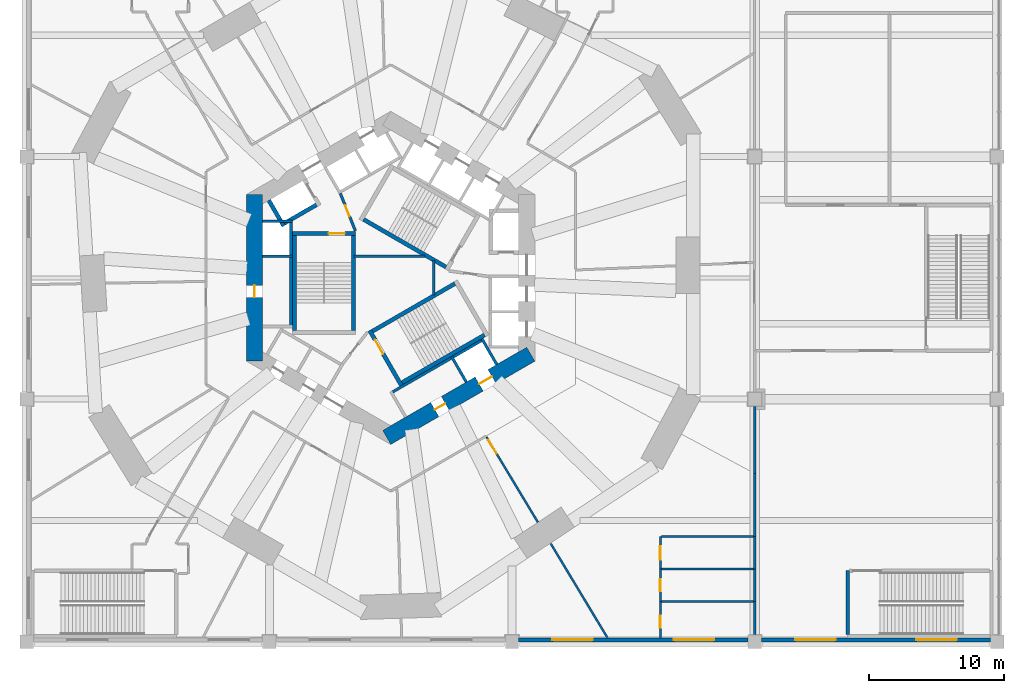
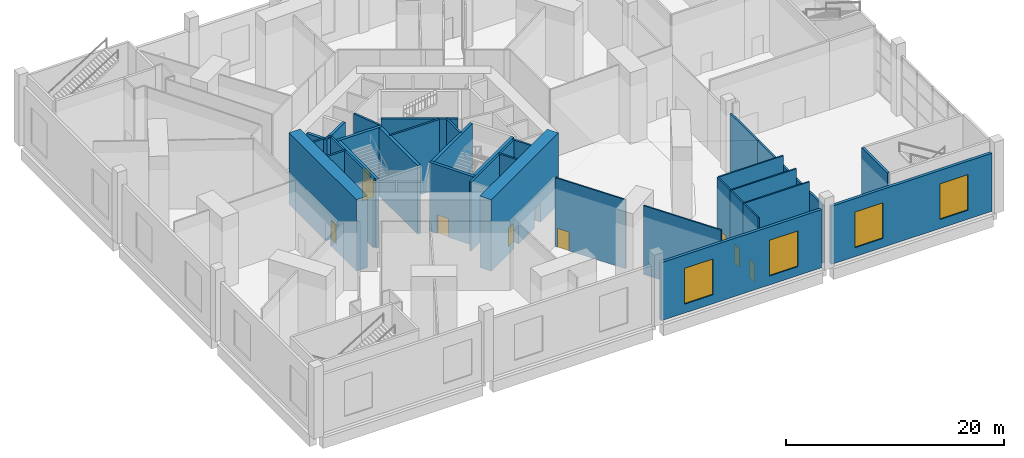
# One storey, part 7 of 15: 36 walls, 10 doors, 4 windows, 14 openings.
"""IFC4 building model written with IfcOpenShell, lengths in metres."""

from ifc_helpers import new_model, si_unit, direction, frame, frame_2d, origin, place, context, subcontext, project, spatial, rectangle, extrude, material, layer, layer_set, type_object, element, fill, save


model = new_model("IFC4")

# Units and contexts
model_context = context("Model", 3, precision=1e-05, world=origin(), true_north=direction((0.0, 1.0)))
body_context = subcontext(model_context, "Body", "Model", "MODEL_VIEW")
ifc_project = project(units=[si_unit("LENGTHUNIT", "METRE"), si_unit("AREAUNIT", "SQUARE_METRE"), si_unit("VOLUMEUNIT", "CUBIC_METRE"), si_unit("PLANEANGLEUNIT", "RADIAN"), si_unit("MASSUNIT", "GRAM", prefix="KILO")], contexts=[model_context])

# Site, building, storey
site_placement = place(None, origin())
site = spatial("IfcSite", under=ifc_project, at=site_placement, CompositionType="ELEMENT")
building_placement = place(site_placement, origin())
building = spatial("IfcBuilding", under=site, at=building_placement, Name="Vanh Sen Convention Tower", CompositionType="ELEMENT")
storey_placement = place(building_placement, frame((0.0, 0.0, 13.0)))
storey = spatial("IfcBuildingStorey", under=building, at=storey_placement, Name="L02", CompositionType="ELEMENT", Elevation=13.0)

# Wall
ifc_material_1 = material(Name="Concrete C40/50", Category="concrete")
ifc_layer_1 = layer(ifc_material_1, 0.25)
ifc_layer_set_1 = layer_set([ifc_layer_1], Name="Concrete C40/50")
wall_type_1 = type_object("IfcWallType", Name="Concrete wall 250 REI 180", PredefinedType="SOLIDWALL", material=ifc_layer_set_1)
wall_1_placement = place(storey_placement, frame((33.89990234375, -26.43994140625, 0.0), z_axis=(0.0, 0.0, 1.0), x_axis=(0.0, 1.0, 0.0)))
element("IfcWall", 1, at=wall_1_placement, inside=storey, type_object=wall_type_1, Name="Fire-resisting wall L02-003", PredefinedType="SOLIDWALL", context=body_context, shape_type="SweptSolid", body=[
    extrude(rectangle(XDim=4.71484375, YDim=0.25, at=frame_2d((2.357421875, 0.0))), origin(), (0.0, 0.0, 1.0), 7.699951171875),
])

# Wall, opening, door
ifc_material_2 = material(Name="Concrete C80/95", Category="concrete")
ifc_layer_2 = layer(ifc_material_2, 1.199951171875)
ifc_layer_set_2 = layer_set([ifc_layer_2], Name="Concrete C80/95")
wall_type_2 = type_object("IfcWallType", Name="Core outer wall 1200 C80/95", PredefinedType="SHEAR", material=ifc_layer_set_2)
wall_2_placement = place(storey_placement, frame((-10.10009765625, 6.177490234375, 0.0), z_axis=(0.0, 0.0, 1.0), x_axis=(0.0, -1.0, 0.0)))
wall_2 = element("IfcWall", 2, at=wall_2_placement, inside=storey, type_object=wall_type_2, Name="Core wall face W L02", PredefinedType="SHEAR", context=body_context, shape_type="SweptSolid", body=[
    extrude(rectangle(XDim=12.35498046875, YDim=1.199951171875, at=frame_2d((6.177490234375, 0.0))), origin(), (0.0, 0.0, 1.0), 8.0),
])
opening_1_placement = place(wall_2_placement, frame((6.7275390625, 0.0, 0.0)))
opening_1 = element("IfcOpeningElement", 3, at=opening_1_placement, cuts=wall_2, Name="Opening D02010", PredefinedType="OPENING", context=body_context, shape_type="SweptSolid", body=[
    extrude(rectangle(XDim=0.89990234375, YDim=2.10009765625, at=frame_2d((0.449951171875, 1.050048828125))), frame((0.0, 0.60986328125, 0.0), z_axis=(0.0, -1.0, 0.0), x_axis=(1.0, 0.0, 0.0)), (0.0, 0.0, 1.0), 1.219970703125),
])
ifc_material_3 = material(Name="Steel S355", Category="steel")
door_type_1 = type_object("IfcDoorType", Name="Plant door 900", OperationType="SINGLE_SWING_LEFT", PredefinedType="DOOR", material=ifc_material_3)
door_1_placement = place(opening_1_placement, origin())
door_1 = element("IfcDoor", 4, at=door_1_placement, inside=storey, type_object=door_type_1, Name="Plant door D02010", OperationType="SINGLE_SWING_LEFT", OverallHeight=2.10009765625, OverallWidth=0.89990234375, PredefinedType="DOOR", context=body_context, shape_type="SweptSolid", body=[
    extrude(rectangle(XDim=0.89990234375, YDim=2.10009765625, at=frame_2d((0.449951171875, 1.050048828125))), frame((0.0, 0.02490234375, 0.0), z_axis=(0.0, -1.0, 0.0), x_axis=(1.0, 0.0, 0.0)), (0.0, 0.0, 1.0), 0.050048828125),
])
fill(opening_1, door_1)

# Wall, openings, doors
wall_3_placement = place(storey_placement, frame((-0.300048828125, -11.835693359375, 0.0), z_axis=(0.0, 0.0, 1.0), x_axis=(0.866021384402, 0.500006961711, 0.0)))
wall_3 = element("IfcWall", 5, at=wall_3_placement, inside=storey, type_object=wall_type_2, Name="Core wall face SE L02", PredefinedType="SHEAR", context=body_context, shape_type="SweptSolid", body=[
    extrude(rectangle(XDim=12.355224609375, YDim=1.199951171875, at=frame_2d((6.177734375, 0.0))), origin(), (0.0, 0.0, 1.0), 8.0),
])
opening_2_placement = place(wall_3_placement, frame((4.127685546875, 0.0, 0.0)))
opening_2 = element("IfcOpeningElement", 6, at=opening_2_placement, cuts=wall_3, Name="Opening D02013", PredefinedType="OPENING", context=body_context, shape_type="SweptSolid", body=[
    extrude(rectangle(XDim=0.89990234375, YDim=2.10009765625, at=frame_2d((0.449951171875, 1.050048828125))), frame((0.0, 0.60986328125, 0.0), z_axis=(0.0, -1.0, 0.0), x_axis=(1.0, 0.0, 0.0)), (0.0, 0.0, 1.0), 1.219970703125),
])
opening_3_placement = place(wall_3_placement, frame((7.927734375, 0.0, 0.0)))
opening_3 = element("IfcOpeningElement", 7, at=opening_3_placement, cuts=wall_3, Name="Opening LD-SV1", PredefinedType="OPENING", context=body_context, shape_type="SweptSolid", body=[
    extrude(rectangle(XDim=1.10009765625, YDim=2.10009765625, at=frame_2d((0.550048828125, 1.050048828125))), frame((0.0, 0.60986328125, 0.0), z_axis=(0.0, -1.0, 0.0), x_axis=(1.0, 0.0, 0.0)), (0.0, 0.0, 1.0), 1.219970703125),
])
ifc_material_4 = material(Name="Stainless steel", Category="steel")
door_type_2 = type_object("IfcDoorType", Name="Lift landing door 1100", OperationType="DOUBLE_DOOR_SLIDING", PredefinedType="DOOR", material=ifc_material_4)
door_2_placement = place(opening_3_placement, origin())
door_2 = element("IfcDoor", 8, at=door_2_placement, inside=storey, type_object=door_type_2, Name="Lift SV1 landing door LD-SV1", OperationType="DOUBLE_DOOR_SLIDING", OverallHeight=2.10009765625, OverallWidth=1.10009765625, PredefinedType="DOOR", context=body_context, shape_type="SweptSolid", body=[
    extrude(rectangle(XDim=1.10009765625, YDim=2.10009765625, at=frame_2d((0.550048828125, 1.050048828125))), frame((0.0, 0.02490234375, 0.0), z_axis=(0.0, -1.0, 0.0), x_axis=(1.0, 0.0, 0.0)), (0.0, 0.0, 1.0), 0.050048828125),
])
fill(opening_3, door_2)
door_3_placement = place(opening_2_placement, origin())
door_3 = element("IfcDoor", 9, at=door_3_placement, inside=storey, type_object=door_type_1, Name="Plant door D02013", OperationType="SINGLE_SWING_LEFT", OverallHeight=2.10009765625, OverallWidth=0.89990234375, PredefinedType="DOOR", context=body_context, shape_type="SweptSolid", body=[
    extrude(rectangle(XDim=0.89990234375, YDim=2.10009765625, at=frame_2d((0.449951171875, 1.050048828125))), frame((0.0, 0.02490234375, 0.0), z_axis=(0.0, -1.0, 0.0), x_axis=(1.0, 0.0, 0.0)), (0.0, 0.0, 1.0), 0.050048828125),
])
fill(opening_2, door_3)

# Walls
ifc_material_5 = material(Name="Masonry blockwork", Category="masonry")
ifc_layer_3 = layer(ifc_material_5, 0.199951171875)
ifc_layer_set_3 = layer_set([ifc_layer_3], Name="Masonry blockwork")
wall_type_3 = type_object("IfcWallType", Name="Core partition 200", PredefinedType="PARTITIONING", material=ifc_layer_set_3)
wall_4_placement = place(storey_placement, frame((-2.719970703125, 1.60009765625, 0.0), z_axis=(0.0, 0.0, 1.0), x_axis=(1.0, 0.0, 0.0)))
element("IfcWall", 10, at=wall_4_placement, inside=storey, type_object=wall_type_3, Name="Core partition L02", PredefinedType="PARTITIONING", context=body_context, shape_type="SweptSolid", body=[
    extrude(rectangle(XDim=5.2685546875, YDim=0.199951171875, at=frame_2d((2.63427734375, 0.0))), origin(), (0.0, 0.0, 1.0), 7.699951171875),
])
wall_5_placement = place(storey_placement, frame((3.199951171875, -1.274658203125, 0.0), z_axis=(0.0, 0.0, 1.0), x_axis=(0.0, 1.0, 0.0)))
element("IfcWall", 11, at=wall_5_placement, inside=storey, type_object=wall_type_3, Name="Core partition L02", PredefinedType="PARTITIONING", context=body_context, shape_type="SweptSolid", body=[
    extrude(rectangle(XDim=2.54931640625, YDim=0.199951171875, at=frame_2d((1.274658203125, 0.0))), origin(), (0.0, 0.0, 1.0), 7.699951171875),
])
ifc_material_6 = material(Name="Concrete C60/75", Category="concrete")
ifc_layer_4 = layer(ifc_material_6, 0.300048828125)
ifc_layer_set_4 = layer_set([ifc_layer_4], Name="Concrete C60/75")
wall_type_4 = type_object("IfcWallType", Name="Fire-fighting lift shaft wall 300", PredefinedType="SHEAR", material=ifc_layer_set_4)
wall_6_placement = place(storey_placement, frame((-5.240478515625, 5.576904296875, 0.0), z_axis=(0.0, 0.0, 1.0), x_axis=(-0.866014461049, -0.500018952895, 0.0)))
element("IfcWall", 12, at=wall_6_placement, inside=storey, type_object=wall_type_4, Name="Fire-fighting lift shaft wall L02", PredefinedType="SHEAR", context=body_context, shape_type="SweptSolid", body=[
    extrude(rectangle(XDim=3.349853515625, YDim=0.300048828125, at=frame_2d((1.6748046875, 0.0))), origin(), (0.0, 0.0, 1.0), 7.699951171875),
])
wall_7_placement = place(storey_placement, frame((-7.936767578125, 3.846923828125, 0.0), z_axis=(0.0, 0.0, 1.0), x_axis=(-0.50002983664, 0.866008176907, 0.0)))
element("IfcWall", 13, at=wall_7_placement, inside=storey, type_object=wall_type_4, Name="Fire-fighting lift shaft wall L02", PredefinedType="SHEAR", context=body_context, shape_type="SweptSolid", body=[
    extrude(rectangle(XDim=2.199951171875, YDim=0.300048828125, at=frame_2d((1.10009765625, 0.0))), origin(), (0.0, 0.0, 1.0), 7.699951171875),
])
ifc_layer_5 = layer(ifc_material_1, 0.199951171875)
ifc_layer_set_5 = layer_set([ifc_layer_5], Name="Concrete C40/50")
wall_type_5 = type_object("IfcWallType", Name="Lift shaft wall 200", PredefinedType="PARTITIONING", material=ifc_layer_set_5)
wall_8_placement = place(storey_placement, frame((-7.39990234375, 4.300048828125, 0.0), z_axis=(0.0, 0.0, 1.0), x_axis=(0.0, -1.0, 0.0)))
element("IfcWall", 14, at=wall_8_placement, inside=storey, type_object=wall_type_5, Name="Lift shaft wall L02", PredefinedType="PARTITIONING", context=body_context, shape_type="SweptSolid", body=[
    extrude(rectangle(XDim=8.0, YDim=0.199951171875, at=frame_2d((4.0, 0.0))), origin(), (0.0, 0.0, 1.0), 7.699951171875),
])
for number, where, z_axis, x_axis, name in (
    (15, (-7.300048828125, 4.199951171875, 0.0), (0.0, 0.0, 1.0), (-1.0, 0.0, 0.0), "Lift shaft wall L02"),
    (16, (-7.300048828125, 1.60009765625, 0.0), (0.0, 0.0, 1.0), (-1.0, 0.0, 0.0), "Lift shaft wall L02"),
):
    element("IfcWall", number, at=place(storey_placement, frame(where, z_axis=z_axis, x_axis=x_axis)), inside=storey, type_object=wall_type_5, Name=name, PredefinedType="PARTITIONING", context=body_context, shape_type="SweptSolid", body=[
        extrude(rectangle(XDim=2.199951171875, YDim=0.199951171875, at=frame_2d((1.10009765625, 0.0))), origin(), (0.0, 0.0, 1.0), 7.699951171875),
    ])
wall_9_placement = place(storey_placement, frame((-0.02392578125, -8.55859375, 0.0), z_axis=(0.0, 0.0, 1.0), x_axis=(0.866026010844, 0.49999894854, 0.0)))
element("IfcWall", 17, at=wall_9_placement, inside=storey, type_object=wall_type_5, Name="Lift shaft wall L02", PredefinedType="PARTITIONING", context=body_context, shape_type="SweptSolid", body=[
    extrude(rectangle(XDim=8.0, YDim=0.199951171875, at=frame_2d((4.0, 0.0))), origin(), (0.0, 0.0, 1.0), 7.699951171875),
])
for number, where, z_axis, x_axis, name in (
    (18, (4.51611328125, -5.822021484375, 0.0), (0.0, 0.0, 1.0), (0.499946605688, -0.86605622881, 0.0), "Lift shaft wall L02"),
    (19, (6.767578125, -4.52197265625, 0.0), (0.0, 0.0, 1.0), (0.50002983664, -0.866008176907, 0.0), "Lift shaft wall L02"),
):
    element("IfcWall", number, at=place(storey_placement, frame(where, z_axis=z_axis, x_axis=x_axis)), inside=storey, type_object=wall_type_5, Name=name, PredefinedType="PARTITIONING", context=body_context, shape_type="SweptSolid", body=[
        extrude(rectangle(XDim=2.199951171875, YDim=0.199951171875, at=frame_2d((1.10009765625, 0.0))), origin(), (0.0, 0.0, 1.0), 7.699951171875),
    ])

# Wall, opening, door
ifc_material_7 = material(Name="Gypsum board on steel studs", Category="steel")
ifc_layer_6 = layer(ifc_material_7, 0.14990234375)
ifc_layer_set_6 = layer_set([ifc_layer_6], Name="Gypsum board on steel studs")
wall_type_6 = type_object("IfcWallType", Name="Partition 150", PredefinedType="PARTITIONING", material=ifc_layer_set_6)
wall_10_placement = place(storey_placement, frame((20.0, -26.699951171875, 0.0), z_axis=(0.0, 0.0, 1.0), x_axis=(0.0, 1.0, 0.0)))
wall_10 = element("IfcWall", 20, at=wall_10_placement, inside=storey, type_object=wall_type_6, Name="Partition L02-001", PredefinedType="PARTITIONING", context=body_context, shape_type="SweptSolid", body=[
    extrude(rectangle(XDim=2.699951171875, YDim=0.14990234375, at=frame_2d((1.35009765625, 0.0))), origin(), (0.0, 0.0, 1.0), 7.699951171875),
])
opening_4_placement = place(wall_10_placement, frame((0.75, 0.0, 0.0)))
opening_4 = element("IfcOpeningElement", 21, at=opening_4_placement, cuts=wall_10, Name="Opening D02101", PredefinedType="OPENING", context=body_context, shape_type="SweptSolid", body=[
    extrude(rectangle(XDim=0.89990234375, YDim=2.10009765625, at=frame_2d((0.449951171875, 1.050048828125))), frame((0.0, 0.0849609375, 0.0), z_axis=(0.0, -1.0, 0.0), x_axis=(1.0, 0.0, 0.0)), (0.0, 0.0, 1.0), 0.169921875),
])
ifc_material_8 = material(Name="Timber door in steel frame", Category="steel")
door_type_3 = type_object("IfcDoorType", Name="Room door 900", OperationType="SINGLE_SWING_LEFT", PredefinedType="DOOR", material=ifc_material_8)
door_4_placement = place(opening_4_placement, origin())
door_4 = element("IfcDoor", 22, at=door_4_placement, inside=storey, type_object=door_type_3, Name="Room door D02101", OperationType="SINGLE_SWING_LEFT", OverallHeight=2.10009765625, OverallWidth=0.89990234375, PredefinedType="DOOR", context=body_context, shape_type="SweptSolid", body=[
    extrude(rectangle(XDim=0.89990234375, YDim=2.10009765625, at=frame_2d((0.449951171875, 1.050048828125))), frame((0.0, 0.02490234375, 0.0), z_axis=(0.0, -1.0, 0.0), x_axis=(1.0, 0.0, 0.0)), (0.0, 0.0, 1.0), 0.050048828125),
])
fill(opening_4, door_4)

wall_11_placement = place(storey_placement, frame((20.0, -24.0, 0.0), z_axis=(0.0, 0.0, 1.0), x_axis=(0.0, 1.0, 0.0)))
wall_11 = element("IfcWall", 23, at=wall_11_placement, inside=storey, type_object=wall_type_6, Name="Partition L02-007", PredefinedType="PARTITIONING", context=body_context, shape_type="SweptSolid", body=[
    extrude(rectangle(XDim=2.39990234375, YDim=0.14990234375, at=frame_2d((1.199951171875, 0.0))), origin(), (0.0, 0.0, 1.0), 7.699951171875),
])
opening_5_placement = place(wall_11_placement, frame((0.75, 0.0, 0.0)))
opening_5 = element("IfcOpeningElement", 24, at=opening_5_placement, cuts=wall_11, Name="Opening D02102", PredefinedType="OPENING", context=body_context, shape_type="SweptSolid", body=[
    extrude(rectangle(XDim=0.89990234375, YDim=2.10009765625, at=frame_2d((0.449951171875, 1.050048828125))), frame((0.0, 0.0849609375, 0.0), z_axis=(0.0, -1.0, 0.0), x_axis=(1.0, 0.0, 0.0)), (0.0, 0.0, 1.0), 0.169921875),
])
door_5_placement = place(opening_5_placement, origin())
door_5 = element("IfcDoor", 25, at=door_5_placement, inside=storey, type_object=door_type_3, Name="Room door D02102", OperationType="SINGLE_SWING_LEFT", OverallHeight=2.10009765625, OverallWidth=0.89990234375, PredefinedType="DOOR", context=body_context, shape_type="SweptSolid", body=[
    extrude(rectangle(XDim=0.89990234375, YDim=2.10009765625, at=frame_2d((0.449951171875, 1.050048828125))), frame((0.0, 0.02490234375, 0.0), z_axis=(0.0, -1.0, 0.0), x_axis=(1.0, 0.0, 0.0)), (0.0, 0.0, 1.0), 0.050048828125),
])
fill(opening_5, door_5)

# Wall
wall_12_placement = place(storey_placement, frame((20.080078125, -24.0, 0.0), z_axis=(0.0, 0.0, 1.0), x_axis=(1.0, 0.0, 0.0)))
element("IfcWall", 26, at=wall_12_placement, inside=storey, type_object=wall_type_6, Name="Partition L02-008", PredefinedType="PARTITIONING", context=body_context, shape_type="SweptSolid", body=[
    extrude(rectangle(XDim=6.81982421875, YDim=0.14990234375, at=frame_2d((3.409912109375, 0.0))), origin(), (0.0, 0.0, 1.0), 7.699951171875),
])

# Wall, opening, door
wall_13_placement = place(storey_placement, frame((20.0, -21.60009765625, 0.0), z_axis=(0.0, 0.0, 1.0), x_axis=(0.0, 1.0, 0.0)))
wall_13 = element("IfcWall", 27, at=wall_13_placement, inside=storey, type_object=wall_type_6, Name="Partition L02-015", PredefinedType="PARTITIONING", context=body_context, shape_type="SweptSolid", body=[
    extrude(rectangle(XDim=2.400146484375, YDim=0.14990234375, at=frame_2d((1.2001953125, 0.0))), origin(), (0.0, 0.0, 1.0), 7.699951171875),
])
opening_6_placement = place(wall_13_placement, frame((0.699951171875, 0.0, 0.0)))
opening_6 = element("IfcOpeningElement", 28, at=opening_6_placement, cuts=wall_13, Name="Opening D02105", PredefinedType="OPENING", context=body_context, shape_type="SweptSolid", body=[
    extrude(rectangle(XDim=1.0, YDim=2.10009765625, at=frame_2d((0.5, 1.050048828125))), frame((0.0, 0.0849609375, 0.0), z_axis=(0.0, -1.0, 0.0), x_axis=(1.0, 0.0, 0.0)), (0.0, 0.0, 1.0), 0.169921875),
])
door_type_4 = type_object("IfcDoorType", Name="Room door 1000", OperationType="SINGLE_SWING_LEFT", PredefinedType="DOOR", material=ifc_material_8)
door_6_placement = place(opening_6_placement, origin())
door_6 = element("IfcDoor", 29, at=door_6_placement, inside=storey, type_object=door_type_4, Name="Room door D02105", OperationType="SINGLE_SWING_LEFT", OverallHeight=2.10009765625, OverallWidth=1.0, PredefinedType="DOOR", context=body_context, shape_type="SweptSolid", body=[
    extrude(rectangle(XDim=1.0, YDim=2.10009765625, at=frame_2d((0.5, 1.050048828125))), frame((0.0, 0.02490234375, 0.0), z_axis=(0.0, -1.0, 0.0), x_axis=(1.0, 0.0, 0.0)), (0.0, 0.0, 1.0), 0.050048828125),
])
fill(opening_6, door_6)

# Walls
for number, where, z_axis, x_axis, name in (
    (30, (20.080078125, -21.60009765625, 0.0), (0.0, 0.0, 1.0), (1.0, 0.0, 0.0), "Partition L02-016"),
    (31, (20.080078125, -19.199951171875, 0.0), (0.0, 0.0, 1.0), (1.0, 0.0, 0.0), "Partition L02-025"),
):
    element("IfcWall", number, at=place(storey_placement, frame(where, z_axis=z_axis, x_axis=x_axis)), inside=storey, type_object=wall_type_6, Name=name, PredefinedType="PARTITIONING", context=body_context, shape_type="SweptSolid", body=[
        extrude(rectangle(XDim=6.81982421875, YDim=0.14990234375, at=frame_2d((3.409912109375, 0.0))), origin(), (0.0, 0.0, 1.0), 7.699951171875),
    ])
ifc_layer_7 = layer(ifc_material_7, 0.14990234375)
ifc_layer_set_7 = layer_set([ifc_layer_7], Name="Gypsum board on steel studs")
wall_type_7 = type_object("IfcWallType", Name="Partition 150 EI 60", PredefinedType="PARTITIONING", material=ifc_layer_set_7)
wall_14_placement = place(storey_placement, frame((11.87939453125, -19.719482421875, 0.0), z_axis=(0.0, 0.0, 1.0), x_axis=(0.516054476578, -0.856555764212, 0.0)))
element("IfcWall", 32, at=wall_14_placement, inside=storey, type_object=wall_type_7, Name="Partition L02-022", PredefinedType="PARTITIONING", context=body_context, shape_type="SweptSolid", body=[
    extrude(rectangle(XDim=8.1494140625, YDim=0.14990234375, at=frame_2d((4.07470703125, 0.0))), origin(), (0.0, 0.0, 1.0), 7.699951171875),
])

# Wall, opening, door
wall_15_placement = place(storey_placement, frame((10.923583984375, -18.1328125, 0.0), z_axis=(0.0, 0.0, 1.0), x_axis=(-0.516035715917, 0.856567066784, 0.0)))
wall_15 = element("IfcWall", 33, at=wall_15_placement, inside=storey, type_object=wall_type_7, Name="Partition L02-028", PredefinedType="PARTITIONING", context=body_context, shape_type="SweptSolid", body=[
    extrude(rectangle(XDim=7.38671875, YDim=0.14990234375, at=frame_2d((3.693359375, 0.0))), origin(), (0.0, 0.0, 1.0), 7.699951171875),
])
opening_7_placement = place(wall_15_placement, frame((5.936767578125, 0.0, 0.0)))
opening_7 = element("IfcOpeningElement", 34, at=opening_7_placement, cuts=wall_15, Name="Opening D02108", PredefinedType="OPENING", context=body_context, shape_type="SweptSolid", body=[
    extrude(rectangle(XDim=1.199951171875, YDim=2.10009765625, at=frame_2d((0.60009765625, 1.050048828125))), frame((0.0, 0.0849609375, 0.0), z_axis=(0.0, -1.0, 0.0), x_axis=(1.0, 0.0, 0.0)), (0.0, 0.0, 1.0), 0.169921875),
])
door_type_5 = type_object("IfcDoorType", Name="Room door 1200 EI 30", OperationType="SINGLE_SWING_LEFT", PredefinedType="DOOR", material=ifc_material_8)
door_7_placement = place(opening_7_placement, origin())
door_7 = element("IfcDoor", 35, at=door_7_placement, inside=storey, type_object=door_type_5, Name="Room door D02108", OperationType="SINGLE_SWING_LEFT", OverallHeight=2.10009765625, OverallWidth=1.199951171875, PredefinedType="DOOR", context=body_context, shape_type="SweptSolid", body=[
    extrude(rectangle(XDim=1.199951171875, YDim=2.10009765625, at=frame_2d((0.60009765625, 1.050048828125))), frame((0.0, 0.02490234375, 0.0), z_axis=(0.0, -1.0, 0.0), x_axis=(1.0, 0.0, 0.0)), (0.0, 0.0, 1.0), 0.050048828125),
])
fill(opening_7, door_7)

# Walls
ifc_material_9 = material(Name="Concrete C20/25", Category="concrete")
ifc_layer_8 = layer(ifc_material_9, 0.199951171875)
ifc_layer_set_8 = layer_set([ifc_layer_8], Name="Concrete C20/25")
wall_type_8 = type_object("IfcWallType", Name="Partition 200 EI 120", PredefinedType="PARTITIONING", material=ifc_layer_set_8)
wall_16_placement = place(storey_placement, frame((27.0, -26.449951171875, 0.0), z_axis=(0.0, 0.0, 1.0), x_axis=(0.0, 1.0, 0.0)))
element("IfcWall", 36, at=wall_16_placement, inside=storey, type_object=wall_type_8, Name="Partition L02-002", PredefinedType="PARTITIONING", context=body_context, shape_type="SweptSolid", body=[
    extrude(rectangle(XDim=2.449951171875, YDim=0.199951171875, at=frame_2d((1.22509765625, 0.0))), origin(), (0.0, 0.0, 1.0), 6.5),
])
wall_17_placement = place(storey_placement, frame((27.0, -24.0, 0.0), z_axis=(0.0, 0.0, 1.0), x_axis=(0.0, 1.0, 0.0)))
element("IfcWall", 37, at=wall_17_placement, inside=storey, type_object=wall_type_8, Name="Partition L02-009", PredefinedType="PARTITIONING", context=body_context, shape_type="SweptSolid", body=[
    extrude(rectangle(XDim=2.39990234375, YDim=0.199951171875, at=frame_2d((1.199951171875, 0.0))), origin(), (0.0, 0.0, 1.0), 6.5),
])
wall_18_placement = place(storey_placement, frame((27.0, -21.60009765625, 0.0), z_axis=(0.0, 0.0, 1.0), x_axis=(0.0, 1.0, 0.0)))
element("IfcWall", 38, at=wall_18_placement, inside=storey, type_object=wall_type_8, Name="Partition L02-017", PredefinedType="PARTITIONING", context=body_context, shape_type="SweptSolid", body=[
    extrude(rectangle(XDim=2.400146484375, YDim=0.199951171875, at=frame_2d((1.2001953125, 0.0))), origin(), (0.0, 0.0, 1.0), 6.5),
])
wall_19_placement = place(storey_placement, frame((27.0, -19.199951171875, 0.0), z_axis=(0.0, 0.0, 1.0), x_axis=(0.0, 1.0, 0.0)))
element("IfcWall", 39, at=wall_19_placement, inside=storey, type_object=wall_type_8, Name="Partition L02-026", PredefinedType="PARTITIONING", context=body_context, shape_type="SweptSolid", body=[
    extrude(rectangle(XDim=4.6923828125, YDim=0.199951171875, at=frame_2d((2.34619140625, 0.0))), origin(), (0.0, 0.0, 1.0), 6.5),
])
wall_20_placement = place(storey_placement, frame((27.0, -14.507568359375, 0.0), z_axis=(0.0, 0.0, 1.0), x_axis=(0.0, 1.0, 0.0)))
element("IfcWall", 40, at=wall_20_placement, inside=storey, type_object=wall_type_8, Name="Partition L02-035", PredefinedType="PARTITIONING", context=body_context, shape_type="SweptSolid", body=[
    extrude(rectangle(XDim=4.95751953125, YDim=0.199951171875, at=frame_2d((2.478759765625, 0.0))), origin(), (0.0, 0.0, 1.0), 6.5),
])

# Wall, openings, windows
ifc_material_10 = material(Name="Concrete C50/60", Category="concrete")
ifc_layer_9 = layer(ifc_material_10, 0.300048828125)
ifc_layer_set_9 = layer_set([ifc_layer_9], Name="Concrete C50/60")
wall_type_9 = type_object("IfcWallType", Name="Podium wall 300", PredefinedType="STANDARD", material=ifc_layer_set_9)
wall_21_placement = place(storey_placement, frame((9.5, -26.85009765625, 0.0), z_axis=(0.0, 0.0, 1.0), x_axis=(1.0, 0.0, 0.0)))
wall_21 = element("IfcWall", 41, at=wall_21_placement, inside=storey, type_object=wall_type_9, Name="Podium wall S3 L02", PredefinedType="STANDARD", context=body_context, shape_type="SweptSolid", body=[
    extrude(rectangle(XDim=17.0, YDim=0.300048828125, at=frame_2d((8.5, 0.0))), origin(), (0.0, 0.0, 1.0), 6.5),
])
opening_8_placement = place(wall_21_placement, frame((2.5, 0.0, 1.0)))
opening_8 = element("IfcOpeningElement", 42, at=opening_8_placement, cuts=wall_21, Name="Opening WP3-S5", PredefinedType="OPENING", context=body_context, shape_type="SweptSolid", body=[
    extrude(rectangle(XDim=3.0, YDim=4.0, at=frame_2d((1.5, 2.0))), frame((0.0, 0.159912109375, 0.0), z_axis=(0.0, -1.0, 0.0), x_axis=(1.0, 0.0, 0.0)), (0.0, 0.0, 1.0), 0.320068359375),
])
opening_9_placement = place(wall_21_placement, frame((11.5, 0.0, 1.0)))
opening_9 = element("IfcOpeningElement", 43, at=opening_9_placement, cuts=wall_21, Name="Opening WP3-S6", PredefinedType="OPENING", context=body_context, shape_type="SweptSolid", body=[
    extrude(rectangle(XDim=3.0, YDim=4.0, at=frame_2d((1.5, 2.0))), frame((0.0, 0.159912109375, 0.0), z_axis=(0.0, -1.0, 0.0), x_axis=(1.0, 0.0, 0.0)), (0.0, 0.0, 1.0), 0.320068359375),
])
ifc_material_11 = material(Name="Aluminium frame with clear low-emissivity glass", Category="aluminium")
window_type = type_object("IfcWindowType", Name="Podium window 3000 x 4000", PartitioningType="SINGLE_PANEL", PredefinedType="WINDOW", material=ifc_material_11)
window_1_placement = place(opening_8_placement, origin())
window_1 = element("IfcWindow", 44, at=window_1_placement, inside=storey, type_object=window_type, Name="Window WP3-S5", OverallHeight=4.0, OverallWidth=3.0, PartitioningType="SINGLE_PANEL", PredefinedType="WINDOW", context=body_context, shape_type="SweptSolid", body=[
    extrude(rectangle(XDim=3.0, YDim=4.0, at=frame_2d((1.5, 2.0))), frame((0.0, 0.030029296875, 0.0), z_axis=(0.0, -1.0, 0.0), x_axis=(1.0, 0.0, 0.0)), (0.0, 0.0, 1.0), 0.06005859375),
])
fill(opening_8, window_1)
window_2_placement = place(opening_9_placement, origin())
window_2 = element("IfcWindow", 45, at=window_2_placement, inside=storey, type_object=window_type, Name="Window WP3-S6", OverallHeight=4.0, OverallWidth=3.0, PartitioningType="SINGLE_PANEL", PredefinedType="WINDOW", context=body_context, shape_type="SweptSolid", body=[
    extrude(rectangle(XDim=3.0, YDim=4.0, at=frame_2d((1.5, 2.0))), frame((0.0, 0.030029296875, 0.0), z_axis=(0.0, -1.0, 0.0), x_axis=(1.0, 0.0, 0.0)), (0.0, 0.0, 1.0), 0.06005859375),
])
fill(opening_9, window_2)

wall_22_placement = place(storey_placement, frame((27.5, -26.85009765625, 0.0), z_axis=(0.0, 0.0, 1.0), x_axis=(1.0, 0.0, 0.0)))
wall_22 = element("IfcWall", 46, at=wall_22_placement, inside=storey, type_object=wall_type_9, Name="Podium wall S4 L02", PredefinedType="STANDARD", context=body_context, shape_type="SweptSolid", body=[
    extrude(rectangle(XDim=17.0, YDim=0.300048828125, at=frame_2d((8.5, 0.0))), origin(), (0.0, 0.0, 1.0), 6.5),
])
opening_10_placement = place(wall_22_placement, frame((2.5, 0.0, 1.0)))
opening_10 = element("IfcOpeningElement", 47, at=opening_10_placement, cuts=wall_22, Name="Opening WP3-S7", PredefinedType="OPENING", context=body_context, shape_type="SweptSolid", body=[
    extrude(rectangle(XDim=3.0, YDim=4.0, at=frame_2d((1.5, 2.0))), frame((0.0, 0.159912109375, 0.0), z_axis=(0.0, -1.0, 0.0), x_axis=(1.0, 0.0, 0.0)), (0.0, 0.0, 1.0), 0.320068359375),
])
opening_11_placement = place(wall_22_placement, frame((11.5, 0.0, 1.0)))
opening_11 = element("IfcOpeningElement", 48, at=opening_11_placement, cuts=wall_22, Name="Opening WP3-S8", PredefinedType="OPENING", context=body_context, shape_type="SweptSolid", body=[
    extrude(rectangle(XDim=3.0, YDim=4.0, at=frame_2d((1.5, 2.0))), frame((0.0, 0.159912109375, 0.0), z_axis=(0.0, -1.0, 0.0), x_axis=(1.0, 0.0, 0.0)), (0.0, 0.0, 1.0), 0.320068359375),
])
window_3_placement = place(opening_10_placement, origin())
window_3 = element("IfcWindow", 49, at=window_3_placement, inside=storey, type_object=window_type, Name="Window WP3-S7", OverallHeight=4.0, OverallWidth=3.0, PartitioningType="SINGLE_PANEL", PredefinedType="WINDOW", context=body_context, shape_type="SweptSolid", body=[
    extrude(rectangle(XDim=3.0, YDim=4.0, at=frame_2d((1.5, 2.0))), frame((0.0, 0.030029296875, 0.0), z_axis=(0.0, -1.0, 0.0), x_axis=(1.0, 0.0, 0.0)), (0.0, 0.0, 1.0), 0.06005859375),
])
fill(opening_10, window_3)
window_4_placement = place(opening_11_placement, origin())
window_4 = element("IfcWindow", 50, at=window_4_placement, inside=storey, type_object=window_type, Name="Window WP3-S8", OverallHeight=4.0, OverallWidth=3.0, PartitioningType="SINGLE_PANEL", PredefinedType="WINDOW", context=body_context, shape_type="SweptSolid", body=[
    extrude(rectangle(XDim=3.0, YDim=4.0, at=frame_2d((1.5, 2.0))), frame((0.0, 0.030029296875, 0.0), z_axis=(0.0, -1.0, 0.0), x_axis=(1.0, 0.0, 0.0)), (0.0, 0.0, 1.0), 0.06005859375),
])
fill(opening_11, window_4)

# Wall, opening, door
ifc_layer_10 = layer(ifc_material_1, 0.199951171875)
ifc_layer_set_10 = layer_set([ifc_layer_10], Name="Concrete C40/50")
wall_type_10 = type_object("IfcWallType", Name="Stair lobby wall 200", PredefinedType="PARTITIONING", material=ifc_layer_set_10)
wall_23_placement = place(storey_placement, frame((-2.614990234375, 3.487060546875, 0.0), z_axis=(0.0, 0.0, 1.0), x_axis=(-0.373576831041, 0.92759924068, 0.0)))
wall_23 = element("IfcWall", 51, at=wall_23_placement, inside=storey, type_object=wall_type_10, Name="Stair lobby wall L02", PredefinedType="PARTITIONING", context=body_context, shape_type="SweptSolid", body=[
    extrude(rectangle(XDim=3.002197265625, YDim=0.199951171875, at=frame_2d((1.5009765625, 0.0))), origin(), (0.0, 0.0, 1.0), 7.699951171875),
])
opening_12_placement = place(wall_23_placement, frame((1.14990234375, 0.0, 0.0)))
opening_12 = element("IfcOpeningElement", 52, at=opening_12_placement, cuts=wall_23, Name="Opening D02008", PredefinedType="OPENING", context=body_context, shape_type="SweptSolid", body=[
    extrude(rectangle(XDim=0.89990234375, YDim=2.10009765625, at=frame_2d((0.449951171875, 1.050048828125))), frame((0.0, 0.10986328125, 0.0), z_axis=(0.0, -1.0, 0.0), x_axis=(1.0, 0.0, 0.0)), (0.0, 0.0, 1.0), 0.219970703125),
])
door_8_placement = place(opening_12_placement, origin())
door_8 = element("IfcDoor", 53, at=door_8_placement, inside=storey, type_object=door_type_1, Name="Plant door D02008", OperationType="SINGLE_SWING_LEFT", OverallHeight=2.10009765625, OverallWidth=0.89990234375, PredefinedType="DOOR", context=body_context, shape_type="SweptSolid", body=[
    extrude(rectangle(XDim=0.89990234375, YDim=2.10009765625, at=frame_2d((0.449951171875, 1.050048828125))), frame((0.0, 0.02490234375, 0.0), z_axis=(0.0, -1.0, 0.0), x_axis=(1.0, 0.0, 0.0)), (0.0, 0.0, 1.0), 0.050048828125),
])
fill(opening_12, door_8)

# Wall
ifc_layer_11 = layer(ifc_material_6, 0.300048828125)
ifc_layer_set_11 = layer_set([ifc_layer_11], Name="Concrete C60/75")
wall_type_11 = type_object("IfcWallType", Name="Stair wall 300", PredefinedType="SHEAR", material=ifc_layer_set_11)
wall_24_placement = place(storey_placement, frame((4.10302734375, 0.806640625, 0.0), z_axis=(0.0, 0.0, 1.0), x_axis=(-0.866027801685, 0.499995846692, 0.0)))
element("IfcWall", 54, at=wall_24_placement, inside=storey, type_object=wall_type_11, Name="Stair wall L02", PredefinedType="SHEAR", context=body_context, shape_type="SweptSolid", body=[
    extrude(rectangle(XDim=7.06005859375, YDim=0.300048828125, at=frame_2d((3.530029296875, 0.0))), origin(), (0.0, 0.0, 1.0), 7.699951171875),
])

# Wall, opening, door
wall_25_placement = place(storey_placement, frame((-2.60009765625, 3.300048828125, 0.0), z_axis=(0.0, 0.0, 1.0), x_axis=(-1.0, 0.0, 0.0)))
wall_25 = element("IfcWall", 55, at=wall_25_placement, inside=storey, type_object=wall_type_11, Name="Stair wall L02", PredefinedType="SHEAR", context=body_context, shape_type="SweptSolid", body=[
    extrude(rectangle(XDim=4.699951171875, YDim=0.300048828125, at=frame_2d((2.35009765625, 0.0))), origin(), (0.0, 0.0, 1.0), 7.699951171875),
])
opening_13_placement = place(wall_25_placement, frame((0.800048828125, 0.0, 0.0)))
opening_13 = element("IfcOpeningElement", 56, at=opening_13_placement, cuts=wall_25, Name="Opening D02005", PredefinedType="OPENING", context=body_context, shape_type="SweptSolid", body=[
    extrude(rectangle(XDim=1.199951171875, YDim=2.10009765625, at=frame_2d((0.60009765625, 1.050048828125))), frame((0.0, 0.159912109375, 0.0), z_axis=(0.0, -1.0, 0.0), x_axis=(1.0, 0.0, 0.0)), (0.0, 0.0, 1.0), 0.320068359375),
])
door_type_6 = type_object("IfcDoorType", Name="Stair door 1200", OperationType="SINGLE_SWING_RIGHT", PredefinedType="DOOR", material=ifc_material_3)
door_9_placement = place(opening_13_placement, origin())
door_9 = element("IfcDoor", 57, at=door_9_placement, inside=storey, type_object=door_type_6, Name="Stair ST2 door D02005", OperationType="SINGLE_SWING_RIGHT", OverallHeight=2.10009765625, OverallWidth=1.199951171875, PredefinedType="DOOR", context=body_context, shape_type="SweptSolid", body=[
    extrude(rectangle(XDim=1.199951171875, YDim=2.10009765625, at=frame_2d((0.60009765625, 1.050048828125))), frame((0.0, 0.02490234375, 0.0), z_axis=(0.0, -1.0, 0.0), x_axis=(1.0, 0.0, 0.0)), (0.0, 0.0, 1.0), 0.050048828125),
])
fill(opening_13, door_9)

# Walls
for number, where, z_axis, x_axis, name in (
    (58, (-2.75, 3.14990234375, 0.0), (0.0, 0.0, 1.0), (0.0, -1.0, 0.0), "Stair wall L02"),
    (59, (-7.14990234375, 3.14990234375, 0.0), (0.0, 0.0, 1.0), (0.0, -1.0, 0.0), "Stair wall L02"),
):
    element("IfcWall", number, at=place(storey_placement, frame(where, z_axis=z_axis, x_axis=x_axis)), inside=storey, type_object=wall_type_11, Name=name, PredefinedType="SHEAR", context=body_context, shape_type="SweptSolid", body=[
        extrude(rectangle(XDim=7.059814453125, YDim=0.300048828125, at=frame_2d((3.52978515625, 0.0))), origin(), (0.0, 0.0, 1.0), 7.699951171875),
    ])

# Wall, opening, door
wall_26_placement = place(storey_placement, frame((-1.557861328125, -3.901611328125, 0.0), z_axis=(0.0, 0.0, 1.0), x_axis=(0.499977259774, -0.866038532462, 0.0)))
wall_26 = element("IfcWall", 60, at=wall_26_placement, inside=storey, type_object=wall_type_11, Name="Stair wall L02", PredefinedType="SHEAR", context=body_context, shape_type="SweptSolid", body=[
    extrude(rectangle(XDim=4.699951171875, YDim=0.300048828125, at=frame_2d((2.35009765625, 0.0))), origin(), (0.0, 0.0, 1.0), 7.699951171875),
])
opening_14_placement = place(wall_26_placement, frame((0.800048828125, 0.0, 0.0)))
opening_14 = element("IfcOpeningElement", 61, at=opening_14_placement, cuts=wall_26, Name="Opening D02006", PredefinedType="OPENING", context=body_context, shape_type="SweptSolid", body=[
    extrude(rectangle(XDim=1.199951171875, YDim=2.10009765625, at=frame_2d((0.60009765625, 1.050048828125))), frame((0.0, 0.159912109375, 0.0), z_axis=(0.0, -1.0, 0.0), x_axis=(1.0, 0.0, 0.0)), (0.0, 0.0, 1.0), 0.320068359375),
])
door_10_placement = place(opening_14_placement, origin())
door_10 = element("IfcDoor", 62, at=door_10_placement, inside=storey, type_object=door_type_6, Name="Stair ST3 door D02006", OperationType="SINGLE_SWING_RIGHT", OverallHeight=2.10009765625, OverallWidth=1.199951171875, PredefinedType="DOOR", context=body_context, shape_type="SweptSolid", body=[
    extrude(rectangle(XDim=1.199951171875, YDim=2.10009765625, at=frame_2d((0.60009765625, 1.050048828125))), frame((0.0, 0.02490234375, 0.0), z_axis=(0.0, -1.0, 0.0), x_axis=(1.0, 0.0, 0.0)), (0.0, 0.0, 1.0), 0.050048828125),
])
fill(opening_14, door_10)

# Walls
for number, where, z_axis, x_axis, name in (
    (63, (-1.35302734375, -3.95654296875, 0.0), (0.0, 0.0, 1.0), (0.866027801685, 0.499995846692, 0.0), "Stair wall L02"),
    (64, (0.846923828125, -7.76708984375, 0.0), (0.0, 0.0, 1.0), (0.866027801685, 0.499995846692, 0.0), "Stair wall L02"),
):
    element("IfcWall", number, at=place(storey_placement, frame(where, z_axis=z_axis, x_axis=x_axis)), inside=storey, type_object=wall_type_11, Name=name, PredefinedType="SHEAR", context=body_context, shape_type="SweptSolid", body=[
        extrude(rectangle(XDim=7.06005859375, YDim=0.300048828125, at=frame_2d((3.530029296875, 0.0))), origin(), (0.0, 0.0, 1.0), 7.699951171875),
    ])

save(model, "model.ifc")
